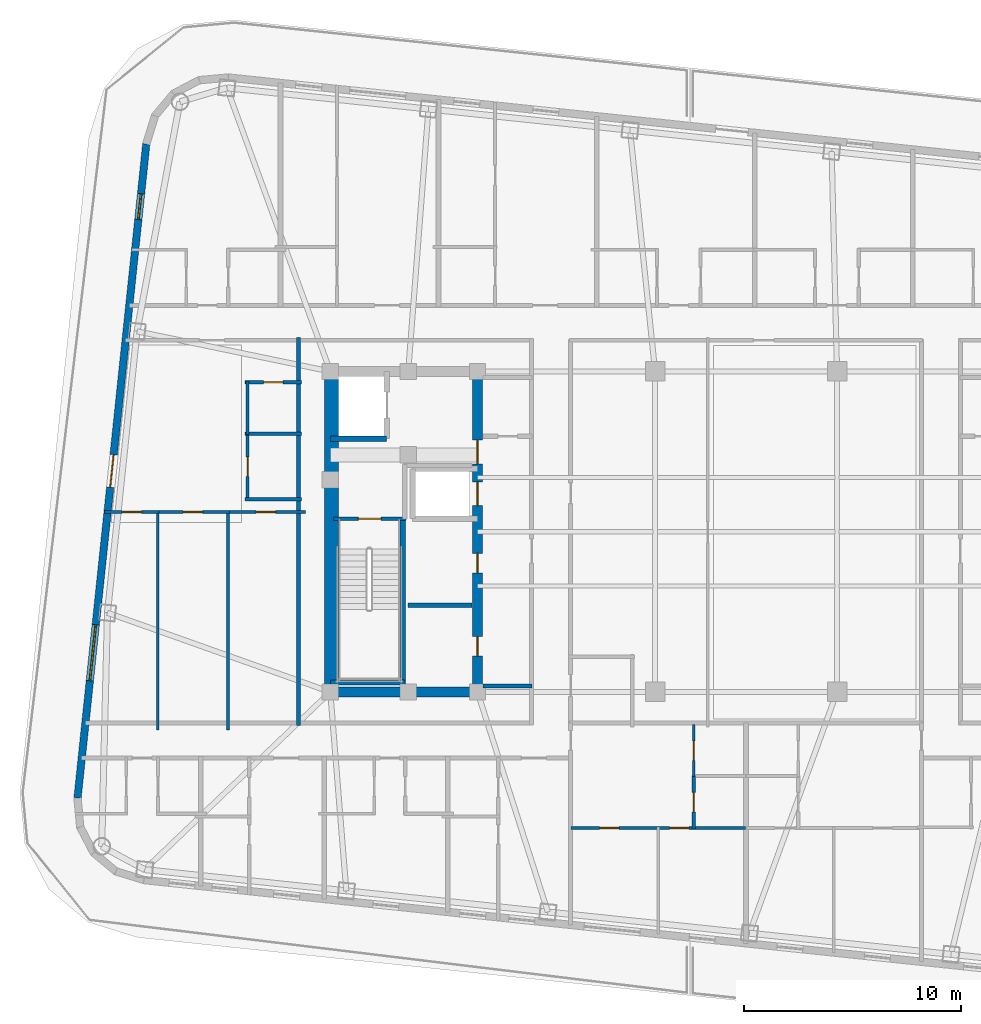
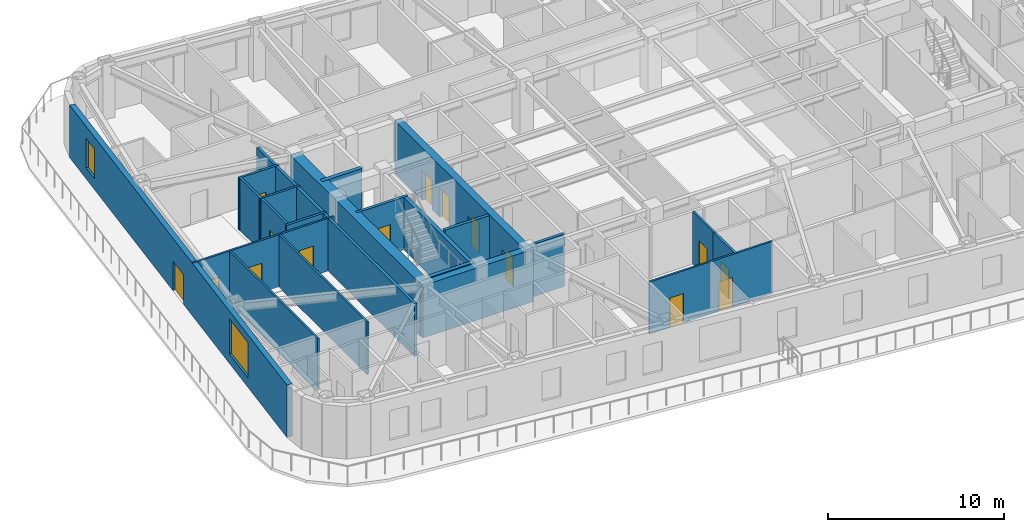
# One storey, part 4 of 14: 24 walls, 15 doors, 2 windows, 17 openings.
"""IFC4 building model written with IfcOpenShell, lengths in metres."""

from ifc_helpers import new_model, si_unit, direction, frame, frame_2d, origin, place, context, subcontext, project, spatial, rectangle, extrude, material, layer, layer_set, type_object, element, fill, save


model = new_model("IFC4")

# Units and contexts
model_context = context("Model", 3, precision=1e-05, world=origin(), true_north=direction((0.0, 1.0)))
body_context = subcontext(model_context, "Body", "Model", "MODEL_VIEW")
ifc_project = project(units=[si_unit("LENGTHUNIT", "METRE"), si_unit("AREAUNIT", "SQUARE_METRE"), si_unit("VOLUMEUNIT", "CUBIC_METRE"), si_unit("PLANEANGLEUNIT", "RADIAN"), si_unit("MASSUNIT", "GRAM", prefix="KILO")], contexts=[model_context])

# Site, building, storey
site_placement = place(None, origin())
site = spatial("IfcSite", under=ifc_project, at=site_placement, CompositionType="ELEMENT")
building_placement = place(site_placement, origin())
building = spatial("IfcBuilding", under=site, at=building_placement, Name="Voryun Gate Residences", CompositionType="ELEMENT")
storey_placement = place(building_placement, frame((0.0, 0.0, 291.199951171875)))
storey = spatial("IfcBuildingStorey", under=building, at=storey_placement, Name="L72", CompositionType="ELEMENT", Elevation=291.199951171875)

# Wall
ifc_material_1 = material(Name="Concrete C50/60", Category="concrete")
ifc_layer_1 = layer(ifc_material_1, 0.449951171875, Name="CW_CORE_450")
ifc_layer_set_1 = layer_set([ifc_layer_1], Name="Concrete C50/60")
wall_type_1 = type_object("IfcWallType", Name="CW_CORE_450", PredefinedType="SHEAR", material=ifc_layer_set_1)
wall_1_placement = place(storey_placement, frame((-19.425048828125, -7.39990234375, 0.0), z_axis=(0.0, 0.0, 1.0), x_axis=(1.0, 0.0, 0.0)))
element("IfcWall", 1, at=wall_1_placement, inside=storey, type_object=wall_type_1, Name="L72 Core shear wall CW-L72-WS", PredefinedType="SHEAR", context=body_context, shape_type="SweptSolid", body=[
    extrude(rectangle(XDim=7.25, YDim=0.449951171875, at=frame_2d((3.625, 0.0))), origin(), (0.0, 0.0, 1.0), 3.635009765625),
])

# Wall, openings, doors
wall_2_placement = place(storey_placement, frame((-12.39990234375, -7.39990234375, 0.0), z_axis=(0.0, 0.0, 1.0), x_axis=(0.0, 1.0, 0.0)))
wall_2 = element("IfcWall", 2, at=wall_2_placement, inside=storey, type_object=wall_type_1, Name="L72 Core shear wall CW-L72-WE", PredefinedType="SHEAR", context=body_context, shape_type="SweptSolid", body=[
    extrude(rectangle(XDim=14.7998046875, YDim=0.449951171875, at=frame_2d((7.39990234375, 0.0))), origin(), (0.0, 0.0, 1.0), 3.635009765625),
])
opening_1_placement = place(wall_2_placement, frame((8.60009765625, 0.0, 0.0)))
opening_1 = element("IfcOpeningElement", 3, at=opening_1_placement, cuts=wall_2, Name="Opening LD2", PredefinedType="OPENING", context=body_context, shape_type="SweptSolid", body=[
    extrude(rectangle(XDim=1.10009765625, YDim=2.050048828125, at=frame_2d((0.550048828125, 1.02490234375))), frame((0.0, 0.235107421875, 0.0), z_axis=(0.0, -1.0, 0.0), x_axis=(1.0, 0.0, 0.0)), (0.0, 0.0, 1.0), 0.469970703125),
])
opening_2_placement = place(wall_2_placement, frame((10.530029296875, 0.0, 0.0)))
opening_2 = element("IfcOpeningElement", 4, at=opening_2_placement, cuts=wall_2, Name="Opening D-FD60-2", PredefinedType="OPENING", context=body_context, shape_type="SweptSolid", body=[
    extrude(rectangle(XDim=1.10009765625, YDim=2.050048828125, at=frame_2d((0.550048828125, 1.02490234375))), frame((0.0, 0.235107421875, 0.0), z_axis=(0.0, -1.0, 0.0), x_axis=(1.0, 0.0, 0.0)), (0.0, 0.0, 1.0), 0.469970703125),
])
opening_3_placement = place(wall_2_placement, frame((1.64990234375, 0.0, 0.0)))
opening_3 = element("IfcOpeningElement", 5, at=opening_3_placement, cuts=wall_2, Name="Opening D-FD60-4", PredefinedType="OPENING", context=body_context, shape_type="SweptSolid", body=[
    extrude(rectangle(XDim=0.89990234375, YDim=2.050048828125, at=frame_2d((0.449951171875, 1.02490234375))), frame((0.0, 0.235107421875, 0.0), z_axis=(0.0, -1.0, 0.0), x_axis=(1.0, 0.0, 0.0)), (0.0, 0.0, 1.0), 0.469970703125),
])
opening_4_placement = place(wall_2_placement, frame((5.5, 0.0, 0.0)))
opening_4 = element("IfcOpeningElement", 6, at=opening_4_placement, cuts=wall_2, Name="Opening D-FD60-4", PredefinedType="OPENING", context=body_context, shape_type="SweptSolid", body=[
    extrude(rectangle(XDim=0.89990234375, YDim=2.050048828125, at=frame_2d((0.449951171875, 1.02490234375))), frame((0.0, 0.235107421875, 0.0), z_axis=(0.0, -1.0, 0.0), x_axis=(1.0, 0.0, 0.0)), (0.0, 0.0, 1.0), 0.469970703125),
])
ifc_material_2 = material(Name="Painted steel fire door", Category="steel")
door_type_1 = type_object("IfcDoorType", Name="DR_FD60_FFLOB_1100", OperationType="NOTDEFINED", PredefinedType="DOOR", material=ifc_material_2)
door_1_placement = place(opening_2_placement, origin())
door_1 = element("IfcDoor", 7, at=door_1_placement, inside=storey, type_object=door_type_1, Name="Door DR-L72-CLOB-W", OperationType="SINGLE_SWING_LEFT", OverallHeight=2.050048828125, OverallWidth=1.10009765625, PredefinedType="DOOR", context=body_context, shape_type="SweptSolid", body=[
    extrude(rectangle(XDim=1.10009765625, YDim=2.050048828125, at=frame_2d((0.550048828125, 1.02490234375))), frame((0.0, 0.02490234375, 0.0), z_axis=(0.0, -1.0, 0.0), x_axis=(1.0, 0.0, 0.0)), (0.0, 0.0, 1.0), 0.050048828125),
])
fill(opening_2, door_1)
ifc_material_3 = material(Name="Painted steel fire door", Category="steel")
door_type_2 = type_object("IfcDoorType", Name="DR_FD60_RISER_900", OperationType="NOTDEFINED", PredefinedType="DOOR", material=ifc_material_3)
door_2_placement = place(opening_3_placement, origin())
door_2 = element("IfcDoor", 8, at=door_2_placement, inside=storey, type_object=door_type_2, Name="Door DR-L72-RECW-HS", OperationType="SINGLE_SWING_LEFT", OverallHeight=2.050048828125, OverallWidth=0.89990234375, PredefinedType="DOOR", context=body_context, shape_type="SweptSolid", body=[
    extrude(rectangle(XDim=0.89990234375, YDim=2.050048828125, at=frame_2d((0.449951171875, 1.02490234375))), frame((0.0, 0.02490234375, 0.0), z_axis=(0.0, -1.0, 0.0), x_axis=(1.0, 0.0, 0.0)), (0.0, 0.0, 1.0), 0.050048828125),
])
fill(opening_3, door_2)
door_3_placement = place(opening_4_placement, origin())
door_3 = element("IfcDoor", 9, at=door_3_placement, inside=storey, type_object=door_type_2, Name="Door DR-L72-RECW-HN", OperationType="SINGLE_SWING_RIGHT", OverallHeight=2.050048828125, OverallWidth=0.89990234375, PredefinedType="DOOR", context=body_context, shape_type="SweptSolid", body=[
    extrude(rectangle(XDim=0.89990234375, YDim=2.050048828125, at=frame_2d((0.449951171875, 1.02490234375))), frame((0.0, 0.02490234375, 0.0), z_axis=(0.0, -1.0, 0.0), x_axis=(1.0, 0.0, 0.0)), (0.0, 0.0, 1.0), 0.050048828125),
])
fill(opening_4, door_3)
ifc_material_4 = material(Name="Anodised aluminium", Category="aluminium")
door_type_3 = type_object("IfcDoorType", Name="DR_LD_PASS_1100", OperationType="NOTDEFINED", PredefinedType="DOOR", material=ifc_material_4)
door_4_placement = place(opening_1_placement, origin())
door_4 = element("IfcDoor", 10, at=door_4_placement, inside=storey, type_object=door_type_3, Name="Lift EL-P7 sliding landing door L72", OperationType="SLIDING_TO_LEFT", OverallHeight=2.050048828125, OverallWidth=1.10009765625, PredefinedType="DOOR", context=body_context, shape_type="SweptSolid", body=[
    extrude(rectangle(XDim=1.10009765625, YDim=2.050048828125, at=frame_2d((0.550048828125, 1.02490234375))), frame((0.0, 0.02490234375, 0.0), z_axis=(0.0, -1.0, 0.0), x_axis=(1.0, 0.0, 0.0)), (0.0, 0.0, 1.0), 0.050048828125),
])
fill(opening_1, door_4)

# Wall
ifc_material_5 = material(Name="Concrete C60/75", Category="concrete")
ifc_layer_2 = layer(ifc_material_5, 0.64990234375, Name="CW_CORE_650")
ifc_layer_set_2 = layer_set([ifc_layer_2], Name="Concrete C60/75")
wall_type_2 = type_object("IfcWallType", Name="CW_CORE_650", PredefinedType="SHEAR", material=ifc_layer_set_2)
wall_3_placement = place(storey_placement, frame((-19.14501953125, -7.39990234375, 0.0), z_axis=(0.0, 0.0, 1.0), x_axis=(0.0, 1.0, 0.0)))
element("IfcWall", 11, at=wall_3_placement, inside=storey, type_object=wall_type_2, Name="L72 Core shear wall CW-L72-WW", PredefinedType="SHEAR", context=body_context, shape_type="SweptSolid", body=[
    extrude(rectangle(XDim=14.7998046875, YDim=0.64990234375, at=frame_2d((7.39990234375, 0.0))), origin(), (0.0, 0.0, 1.0), 3.635009765625),
])

# Wall, opening, door
ifc_material_6 = material(Name="Gypsum acoustic fireboard")
ifc_layer_3 = layer(ifc_material_6, 0.179931640625, Name="W_CORR_RATED_180")
ifc_layer_set_3 = layer_set([ifc_layer_3], Name="Gypsum acoustic fireboard")
wall_type_3 = type_object("IfcWallType", Name="W_CORR_RATED_180", PredefinedType="PARTITIONING", material=ifc_layer_set_3)
wall_4_placement = place(storey_placement, frame((-19.06005859375, 0.60009765625, 0.0), z_axis=(0.0, 0.0, 1.0), x_axis=(1.0, 0.0, 0.0)))
wall_4 = element("IfcWall", 12, at=wall_4_placement, inside=storey, type_object=wall_type_3, Name="Partition wall WP-L72-STV-W", PredefinedType="PARTITIONING", context=body_context, shape_type="SweptSolid", body=[
    extrude(rectangle(XDim=3.360107421875, YDim=0.179931640625, at=frame_2d((1.68017578125, 0.0))), origin(), (0.0, 0.0, 1.0), 3.635009765625),
])
opening_5_placement = place(wall_4_placement, frame((1.155029296875, 0.0, 0.0)))
opening_5 = element("IfcOpeningElement", 13, at=opening_5_placement, cuts=wall_4, Name="Opening D-FD60-1", PredefinedType="OPENING", context=body_context, shape_type="SweptSolid", body=[
    extrude(rectangle(XDim=1.050048828125, YDim=2.050048828125, at=frame_2d((0.52490234375, 1.02490234375))), frame((0.0, 0.099853515625, 0.0), z_axis=(0.0, -1.0, 0.0), x_axis=(1.0, 0.0, 0.0)), (0.0, 0.0, 1.0), 0.199951171875),
])
ifc_material_7 = material(Name="Painted steel fire door", Category="steel")
door_type_4 = type_object("IfcDoorType", Name="DR_FD60_STAIR_1050", OperationType="NOTDEFINED", PredefinedType="DOOR", material=ifc_material_7)
door_5_placement = place(opening_5_placement, origin())
door_5 = element("IfcDoor", 14, at=door_5_placement, inside=storey, type_object=door_type_4, Name="Door DR-L72-ST-W", OperationType="SINGLE_SWING_LEFT", OverallHeight=2.050048828125, OverallWidth=1.050048828125, PredefinedType="DOOR", context=body_context, shape_type="SweptSolid", body=[
    extrude(rectangle(XDim=1.050048828125, YDim=2.050048828125, at=frame_2d((0.52490234375, 1.02490234375))), frame((0.0, 0.02490234375, 0.0), z_axis=(0.0, -1.0, 0.0), x_axis=(1.0, 0.0, 0.0)), (0.0, 0.0, 1.0), 0.050048828125),
])
fill(opening_5, door_5)

# Walls
wall_5_placement = place(storey_placement, frame((-12.14990234375, -7.1201171875, 0.0), z_axis=(0.0, 0.0, 1.0), x_axis=(1.0, 0.0, 0.0)))
element("IfcWall", 15, at=wall_5_placement, inside=storey, type_object=wall_type_3, Name="Partition wall WP-L72-PLBS-W", PredefinedType="PARTITIONING", context=body_context, shape_type="SweptSolid", body=[
    extrude(rectangle(XDim=2.27001953125, YDim=0.179931640625, at=frame_2d((1.135009765625, 0.0))), origin(), (0.0, 0.0, 1.0), 3.635009765625),
])
wall_6_placement = place(storey_placement, frame((-20.669921875, -8.9599609375, 0.0), z_axis=(0.0, 0.0, 1.0), x_axis=(0.0, 1.0, 0.0)))
element("IfcWall", 16, at=wall_6_placement, inside=storey, type_object=wall_type_3, Name="Partition wall WP-L72-WCOR", PredefinedType="PARTITIONING", context=body_context, shape_type="SweptSolid", body=[
    extrude(rectangle(XDim=17.919921875, YDim=0.179931640625, at=frame_2d((8.9599609375, 0.0))), origin(), (0.0, 0.0, 1.0), 3.635009765625),
])

# Wall, openings, door, windows
ifc_material_8 = material(Name="Charcoal terracotta masonry", Category="masonry")
ifc_layer_4 = layer(ifc_material_8, 0.340087890625, Name="W_EXT_TERRACOTTA_340")
ifc_layer_set_4 = layer_set([ifc_layer_4], Name="Charcoal terracotta masonry")
wall_type_4 = type_object("IfcWallType", Name="W_EXT_TERRACOTTA_340", PredefinedType="ELEMENTEDWALL", material=ifc_layer_set_4)
wall_7_placement = place(storey_placement, frame((-30.8701171875, -12.295654296875, 0.0), z_axis=(0.0, 0.0, 1.0), x_axis=(0.104533282919, 0.994521388791, 0.0)))
wall_7 = element("IfcWall", 17, at=wall_7_placement, inside=storey, type_object=wall_type_4, Name="Exterior wall WEXT-L72-06", PredefinedType="ELEMENTEDWALL", context=body_context, shape_type="SweptSolid", body=[
    extrude(rectangle(XDim=30.366455078125, YDim=0.340087890625, at=frame_2d((15.18310546875, 0.0))), origin(), (0.0, 0.0, 1.0), 3.635009765625),
])
opening_6_placement = place(wall_7_placement, frame((14.43310546875, 0.0, 0.0)))
opening_6 = element("IfcOpeningElement", 18, at=opening_6_placement, cuts=wall_7, Name="Opening D-TER-1", PredefinedType="OPENING", context=body_context, shape_type="SweptSolid", body=[
    extrude(rectangle(XDim=1.5, YDim=2.050048828125, at=frame_2d((0.75, 1.02490234375))), frame((0.0, 0.179931640625, 0.0), z_axis=(0.0, -1.0, 0.0), x_axis=(1.0, 0.0, 0.0)), (0.0, 0.0, 1.0), 0.360107421875),
])
opening_7_placement = place(wall_7_placement, frame((5.441650390625, 0.0, 0.64990234375)))
opening_7 = element("IfcOpeningElement", 19, at=opening_7_placement, cuts=wall_7, Name="Opening WN4", PredefinedType="OPENING", context=body_context, shape_type="SweptSolid", body=[
    extrude(rectangle(XDim=2.60009765625, YDim=2.449951171875, at=frame_2d((1.300048828125, 1.22509765625))), frame((0.0, 0.179931640625, 0.0), z_axis=(0.0, -1.0, 0.0), x_axis=(1.0, 0.0, 0.0)), (0.0, 0.0, 1.0), 0.360107421875),
])
opening_8_placement = place(wall_7_placement, frame((26.860595703125, 0.0, 0.75)))
opening_8 = element("IfcOpeningElement", 20, at=opening_8_placement, cuts=wall_7, Name="Opening WN6", PredefinedType="OPENING", context=body_context, shape_type="SweptSolid", body=[
    extrude(rectangle(XDim=1.199951171875, YDim=2.050048828125, at=frame_2d((0.60009765625, 1.02490234375))), frame((0.0, 0.179931640625, 0.0), z_axis=(0.0, -1.0, 0.0), x_axis=(1.0, 0.0, 0.0)), (0.0, 0.0, 1.0), 0.360107421875),
])
ifc_material_9 = material(Name="Thermally broken aluminium and low-E glass", Category="aluminium")
door_type_5 = type_object("IfcDoorType", Name="DR_TERR_EXIT_1500", OperationType="NOTDEFINED", PredefinedType="DOOR", material=ifc_material_9)
door_6_placement = place(opening_6_placement, origin())
door_6 = element("IfcDoor", 21, at=door_6_placement, inside=storey, type_object=door_type_5, Name="Door DR-L72-OUT-01", OperationType="SLIDING_TO_RIGHT", OverallHeight=2.050048828125, OverallWidth=1.5, PredefinedType="DOOR", context=body_context, shape_type="SweptSolid", body=[
    extrude(rectangle(XDim=1.5, YDim=2.050048828125, at=frame_2d((0.75, 1.02490234375))), frame((0.0, 0.02490234375, 0.0), z_axis=(0.0, -1.0, 0.0), x_axis=(1.0, 0.0, 0.0)), (0.0, 0.0, 1.0), 0.050048828125),
])
fill(opening_6, door_6)
ifc_material_10 = material(Name="Laminated low-E glass", Category="glass")
window_type_1 = type_object("IfcWindowType", Name="WN_PENT_TALL_2600", PartitioningType="SINGLE_PANEL", PredefinedType="WINDOW", material=ifc_material_10)
window_1_placement = place(opening_7_placement, origin())
window_1 = element("IfcWindow", 22, at=window_1_placement, inside=storey, type_object=window_type_1, Name="Window WN-WEXT-L72-06-01", OverallHeight=2.449951171875, OverallWidth=2.60009765625, PartitioningType="SINGLE_PANEL", PredefinedType="WINDOW", context=body_context, shape_type="SweptSolid", body=[
    extrude(rectangle(XDim=2.60009765625, YDim=2.449951171875, at=frame_2d((1.300048828125, 1.22509765625))), frame((0.0, 0.030029296875, 0.0), z_axis=(0.0, -1.0, 0.0), x_axis=(1.0, 0.0, 0.0)), (0.0, 0.0, 1.0), 0.06005859375),
])
fill(opening_7, window_1)
ifc_material_11 = material(Name="Laminated low-E glass", Category="glass")
window_type_2 = type_object("IfcWindowType", Name="WN_POD_SLOT_1200", PartitioningType="SINGLE_PANEL", PredefinedType="WINDOW", material=ifc_material_11)
window_2_placement = place(opening_8_placement, origin())
window_2 = element("IfcWindow", 23, at=window_2_placement, inside=storey, type_object=window_type_2, Name="Window WN-L72-DWFIX-01", OverallHeight=2.050048828125, OverallWidth=1.199951171875, PartitioningType="SINGLE_PANEL", PredefinedType="WINDOW", context=body_context, shape_type="SweptSolid", body=[
    extrude(rectangle(XDim=1.199951171875, YDim=2.050048828125, at=frame_2d((0.60009765625, 1.02490234375))), frame((0.0, 0.030029296875, 0.0), z_axis=(0.0, -1.0, 0.0), x_axis=(1.0, 0.0, 0.0)), (0.0, 0.0, 1.0), 0.06005859375),
])
fill(opening_8, window_2)

# Walls
ifc_material_12 = material(Name="Concrete C40/50", Category="concrete")
ifc_layer_5 = layer(ifc_material_12, 0.199951171875, Name="W_FF_LOBBY_200")
ifc_layer_set_5 = layer_set([ifc_layer_5], Name="Concrete C40/50")
wall_type_5 = type_object("IfcWallType", Name="W_FF_LOBBY_200", PredefinedType="PARTITIONING", material=ifc_layer_set_5)
wall_8_placement = place(storey_placement, frame((-15.60009765625, -3.389892578125, 0.0), z_axis=(0.0, 0.0, 1.0), x_axis=(1.0, 0.0, 0.0)))
element("IfcWall", 24, at=wall_8_placement, inside=storey, type_object=wall_type_5, Name="Partition wall WP-L72-RECEY-W", PredefinedType="PARTITIONING", context=body_context, shape_type="SweptSolid", body=[
    extrude(rectangle(XDim=2.940185546875, YDim=0.199951171875, at=frame_2d((1.47021484375, 0.0))), origin(), (0.0, 0.0, 1.0), 3.635009765625),
])
ifc_material_13 = material(Name="Concrete C50/60", Category="concrete")
ifc_layer_6 = layer(ifc_material_13, 0.25, Name="W_SHAFT_RC250")
ifc_layer_set_6 = layer_set([ifc_layer_6], Name="Concrete C50/60")
wall_type_6 = type_object("IfcWallType", Name="W_SHAFT_RC250", PredefinedType="SOLIDWALL", material=ifc_layer_set_6)
wall_9_placement = place(storey_placement, frame((-15.860107421875, -7.0849609375, 0.0), z_axis=(0.0, 0.0, 1.0), x_axis=(0.0, 1.0, 0.0)))
element("IfcWall", 25, at=wall_9_placement, inside=storey, type_object=wall_type_6, Name="L72 Stair shaft structural wall W-STR", PredefinedType="SOLIDWALL", context=body_context, shape_type="SweptSolid", body=[
    extrude(rectangle(XDim=7.68505859375, YDim=0.25, at=frame_2d((3.842529296875, 0.0))), origin(), (0.0, 0.0, 1.0), 3.635009765625),
])
wall_10_placement = place(storey_placement, frame((-19.199951171875, -6.965087890625, 0.0), z_axis=(0.0, 0.0, 1.0), x_axis=(1.0, 0.0, 0.0)))
element("IfcWall", 26, at=wall_10_placement, inside=storey, type_object=wall_type_6, Name="L72 Stair shaft structural wall W-STS", PredefinedType="SOLIDWALL", context=body_context, shape_type="SweptSolid", body=[
    extrude(rectangle(XDim=3.4599609375, YDim=0.25, at=frame_2d((1.72998046875, 0.0))), origin(), (0.0, 0.0, 1.0), 3.635009765625),
])
wall_11_placement = place(storey_placement, frame((-19.199951171875, 4.300048828125, 0.0), z_axis=(0.0, 0.0, 1.0), x_axis=(1.0, 0.0, 0.0)))
element("IfcWall", 27, at=wall_11_placement, inside=storey, type_object=wall_type_6, Name="Lift shaft wall WSH-L72-EL-FF-W1-S", PredefinedType="SOLIDWALL", context=body_context, shape_type="SweptSolid", body=[
    extrude(rectangle(XDim=2.599853515625, YDim=0.25, at=frame_2d((1.2998046875, 0.0))), origin(), (0.0, 0.0, 1.0), 3.635009765625),
])

# Wall, openings, doors
ifc_material_14 = material(Name="Gypsum acoustic partition")
ifc_layer_7 = layer(ifc_material_14, 0.125, Name="W_UNIT_PART_125")
ifc_layer_set_7 = layer_set([ifc_layer_7], Name="Gypsum acoustic partition")
wall_type_7 = type_object("IfcWallType", Name="W_UNIT_PART_125", PredefinedType="PARTITIONING", material=ifc_layer_set_7)
wall_12_placement = place(storey_placement, frame((-8.080078125, -13.679931640625, 0.0), z_axis=(0.0, 0.0, 1.0), x_axis=(1.0, 0.0, 0.0)))
wall_12 = element("IfcWall", 28, at=wall_12_placement, inside=storey, type_object=wall_type_7, Name="Partition wall WP-L72-SC1-HZ", PredefinedType="PARTITIONING", context=body_context, shape_type="SweptSolid", body=[
    extrude(rectangle(XDim=8.06005859375, YDim=0.125, at=frame_2d((4.030029296875, 0.0))), origin(), (0.0, 0.0, 1.0), 3.635009765625),
])
opening_9_placement = place(wall_12_placement, frame((1.3232421875, 0.0, 0.0)))
opening_9 = element("IfcOpeningElement", 29, at=opening_9_placement, cuts=wall_12, Name="Opening D-INT-2", PredefinedType="OPENING", context=body_context, shape_type="SweptSolid", body=[
    extrude(rectangle(XDim=0.89990234375, YDim=2.050048828125, at=frame_2d((0.449951171875, 1.02490234375))), frame((0.0, 0.072509765625, 0.0), z_axis=(0.0, -1.0, 0.0), x_axis=(1.0, 0.0, 0.0)), (0.0, 0.0, 1.0), 0.14501953125),
])
opening_10_placement = place(wall_12_placement, frame((4.547119140625, 0.0, 0.0)))
opening_10 = element("IfcOpeningElement", 30, at=opening_10_placement, cuts=wall_12, Name="Opening D-INT-2", PredefinedType="OPENING", context=body_context, shape_type="SweptSolid", body=[
    extrude(rectangle(XDim=0.89990234375, YDim=2.050048828125, at=frame_2d((0.449951171875, 1.02490234375))), frame((0.0, 0.072509765625, 0.0), z_axis=(0.0, -1.0, 0.0), x_axis=(1.0, 0.0, 0.0)), (0.0, 0.0, 1.0), 0.14501953125),
])
ifc_material_15 = material(Name="Architectural oak veneer")
door_type_6 = type_object("IfcDoorType", Name="DR_INT_BATH_900", OperationType="NOTDEFINED", PredefinedType="DOOR", material=ifc_material_15)
door_7_placement = place(opening_9_placement, origin())
door_7 = element("IfcDoor", 31, at=door_7_placement, inside=storey, type_object=door_type_6, Name="Door DR-L72-SC1-DMB", OperationType="SINGLE_SWING_LEFT", OverallHeight=2.050048828125, OverallWidth=0.89990234375, PredefinedType="DOOR", context=body_context, shape_type="SweptSolid", body=[
    extrude(rectangle(XDim=0.89990234375, YDim=2.050048828125, at=frame_2d((0.449951171875, 1.02490234375))), frame((0.0, 0.02490234375, 0.0), z_axis=(0.0, -1.0, 0.0), x_axis=(1.0, 0.0, 0.0)), (0.0, 0.0, 1.0), 0.050048828125),
])
fill(opening_9, door_7)
door_8_placement = place(opening_10_placement, origin())
door_8 = element("IfcDoor", 32, at=door_8_placement, inside=storey, type_object=door_type_6, Name="Door DR-L72-SC1-DBD2", OperationType="SINGLE_SWING_RIGHT", OverallHeight=2.050048828125, OverallWidth=0.89990234375, PredefinedType="DOOR", context=body_context, shape_type="SweptSolid", body=[
    extrude(rectangle(XDim=0.89990234375, YDim=2.050048828125, at=frame_2d((0.449951171875, 1.02490234375))), frame((0.0, 0.02490234375, 0.0), z_axis=(0.0, -1.0, 0.0), x_axis=(1.0, 0.0, 0.0)), (0.0, 0.0, 1.0), 0.050048828125),
])
fill(opening_10, door_8)

# Wall, opening, door
wall_13_placement = place(storey_placement, frame((-2.409912109375, -11.31005859375, 0.0), z_axis=(0.0, 0.0, 1.0), x_axis=(0.0, 1.0, 0.0)))
wall_13 = element("IfcWall", 33, at=wall_13_placement, inside=storey, type_object=wall_type_7, Name="Partition wall WP-L72-SC1-VK1", PredefinedType="PARTITIONING", context=body_context, shape_type="SweptSolid", body=[
    extrude(rectangle(XDim=2.41015625, YDim=0.125, at=frame_2d((1.205078125, 0.0))), origin(), (0.0, 0.0, 1.0), 3.635009765625),
])
opening_11_placement = place(wall_13_placement, frame((0.7548828125, 0.0, 0.0)))
opening_11 = element("IfcOpeningElement", 34, at=opening_11_placement, cuts=wall_13, Name="Opening D-INT-2", PredefinedType="OPENING", context=body_context, shape_type="SweptSolid", body=[
    extrude(rectangle(XDim=0.89990234375, YDim=2.050048828125, at=frame_2d((0.449951171875, 1.02490234375))), frame((0.0, 0.072509765625, 0.0), z_axis=(0.0, -1.0, 0.0), x_axis=(1.0, 0.0, 0.0)), (0.0, 0.0, 1.0), 0.14501953125),
])
door_9_placement = place(opening_11_placement, origin())
door_9 = element("IfcDoor", 35, at=door_9_placement, inside=storey, type_object=door_type_6, Name="Door DR-L72-SC1-DK", OperationType="SINGLE_SWING_LEFT", OverallHeight=2.050048828125, OverallWidth=0.89990234375, PredefinedType="DOOR", context=body_context, shape_type="SweptSolid", body=[
    extrude(rectangle(XDim=0.89990234375, YDim=2.050048828125, at=frame_2d((0.449951171875, 1.02490234375))), frame((0.0, 0.02490234375, 0.0), z_axis=(0.0, -1.0, 0.0), x_axis=(1.0, 0.0, 0.0)), (0.0, 0.0, 1.0), 0.050048828125),
])
fill(opening_11, door_9)

wall_14_placement = place(storey_placement, frame((-29.633056640625, 0.909912109375, 0.0), z_axis=(0.0, 0.0, 1.0), x_axis=(1.0, 0.0, 0.0)))
wall_14 = element("IfcWall", 36, at=wall_14_placement, inside=storey, type_object=wall_type_7, Name="Partition wall WP-L72-W1-HZMB1", PredefinedType="PARTITIONING", context=body_context, shape_type="SweptSolid", body=[
    extrude(rectangle(XDim=2.528564453125, YDim=0.125, at=frame_2d((1.26416015625, 0.0))), origin(), (0.0, 0.0, 1.0), 3.635009765625),
])
opening_12_placement = place(wall_14_placement, frame((0.822998046875, 0.0, 0.0)))
opening_12 = element("IfcOpeningElement", 37, at=opening_12_placement, cuts=wall_14, Name="Opening D-INT-2", PredefinedType="OPENING", context=body_context, shape_type="SweptSolid", body=[
    extrude(rectangle(XDim=0.89990234375, YDim=2.050048828125, at=frame_2d((0.449951171875, 1.02490234375))), frame((0.0, 0.072509765625, 0.0), z_axis=(0.0, -1.0, 0.0), x_axis=(1.0, 0.0, 0.0)), (0.0, 0.0, 1.0), 0.14501953125),
])
door_10_placement = place(opening_12_placement, origin())
door_10 = element("IfcDoor", 38, at=door_10_placement, inside=storey, type_object=door_type_6, Name="Door DR-L72-W1-DMB", OperationType="SINGLE_SWING_LEFT", OverallHeight=2.050048828125, OverallWidth=0.89990234375, PredefinedType="DOOR", context=body_context, shape_type="SweptSolid", body=[
    extrude(rectangle(XDim=0.89990234375, YDim=2.050048828125, at=frame_2d((0.449951171875, 1.02490234375))), frame((0.0, 0.02490234375, 0.0), z_axis=(0.0, -1.0, 0.0), x_axis=(1.0, 0.0, 0.0)), (0.0, 0.0, 1.0), 0.050048828125),
])
fill(opening_12, door_10)

wall_15_placement = place(storey_placement, frame((-27.2294921875, 0.909912109375, 0.0), z_axis=(0.0, 0.0, 1.0), x_axis=(1.0, 0.0, 0.0)))
wall_15 = element("IfcWall", 39, at=wall_15_placement, inside=storey, type_object=wall_type_7, Name="Partition wall WP-L72-W1-HZMB2", PredefinedType="PARTITIONING", context=body_context, shape_type="SweptSolid", body=[
    extrude(rectangle(XDim=3.3740234375, YDim=0.125, at=frame_2d((1.68701171875, 0.0))), origin(), (0.0, 0.0, 1.0), 3.635009765625),
])
opening_13_placement = place(wall_15_placement, frame((1.237060546875, 0.0, 0.0)))
opening_13 = element("IfcOpeningElement", 40, at=opening_13_placement, cuts=wall_15, Name="Opening D-INT-2", PredefinedType="OPENING", context=body_context, shape_type="SweptSolid", body=[
    extrude(rectangle(XDim=0.89990234375, YDim=2.050048828125, at=frame_2d((0.449951171875, 1.02490234375))), frame((0.0, 0.072509765625, 0.0), z_axis=(0.0, -1.0, 0.0), x_axis=(1.0, 0.0, 0.0)), (0.0, 0.0, 1.0), 0.14501953125),
])
door_11_placement = place(opening_13_placement, origin())
door_11 = element("IfcDoor", 41, at=door_11_placement, inside=storey, type_object=door_type_6, Name="Door DR-L72-W1-DBD2", OperationType="SINGLE_SWING_RIGHT", OverallHeight=2.050048828125, OverallWidth=0.89990234375, PredefinedType="DOOR", context=body_context, shape_type="SweptSolid", body=[
    extrude(rectangle(XDim=0.89990234375, YDim=2.050048828125, at=frame_2d((0.449951171875, 1.02490234375))), frame((0.0, 0.02490234375, 0.0), z_axis=(0.0, -1.0, 0.0), x_axis=(1.0, 0.0, 0.0)), (0.0, 0.0, 1.0), 0.050048828125),
])
fill(opening_13, door_11)

wall_16_placement = place(storey_placement, frame((-23.98046875, 0.909912109375, 0.0), z_axis=(0.0, 0.0, 1.0), x_axis=(1.0, 0.0, 0.0)))
wall_16 = element("IfcWall", 42, at=wall_16_placement, inside=storey, type_object=wall_type_7, Name="Partition wall WP-L72-W1-HZMB3", PredefinedType="PARTITIONING", context=body_context, shape_type="SweptSolid", body=[
    extrude(rectangle(XDim=3.63037109375, YDim=0.125, at=frame_2d((1.815185546875, 0.0))), origin(), (0.0, 0.0, 1.0), 3.635009765625),
])
opening_14_placement = place(wall_16_placement, frame((1.3564453125, 0.0, 0.0)))
opening_14 = element("IfcOpeningElement", 43, at=opening_14_placement, cuts=wall_16, Name="Opening D-INT-2", PredefinedType="OPENING", context=body_context, shape_type="SweptSolid", body=[
    extrude(rectangle(XDim=0.89990234375, YDim=2.050048828125, at=frame_2d((0.449951171875, 1.02490234375))), frame((0.0, 0.072509765625, 0.0), z_axis=(0.0, -1.0, 0.0), x_axis=(1.0, 0.0, 0.0)), (0.0, 0.0, 1.0), 0.14501953125),
])
door_12_placement = place(opening_14_placement, origin())
door_12 = element("IfcDoor", 44, at=door_12_placement, inside=storey, type_object=door_type_6, Name="Door DR-L72-W1-DBD3", OperationType="SINGLE_SWING_LEFT", OverallHeight=2.050048828125, OverallWidth=0.89990234375, PredefinedType="DOOR", context=body_context, shape_type="SweptSolid", body=[
    extrude(rectangle(XDim=0.89990234375, YDim=2.050048828125, at=frame_2d((0.449951171875, 1.02490234375))), frame((0.0, 0.02490234375, 0.0), z_axis=(0.0, -1.0, 0.0), x_axis=(1.0, 0.0, 0.0)), (0.0, 0.0, 1.0), 0.050048828125),
])
fill(opening_14, door_12)

# Walls
for number, where, z_axis, x_axis, name in (
    (45, (-23.91796875, -9.159912109375, 0.0), (0.0, 0.0, 1.0), (0.0, 1.0, 0.0), "Partition wall WP-L72-W1-VMB2"),
    (46, (-27.1669921875, -9.159912109375, 0.0), (0.0, 0.0, 1.0), (0.0, 1.0, 0.0), "Partition wall WP-L72-W1-VMB"),
):
    element("IfcWall", number, at=place(storey_placement, frame(where, z_axis=z_axis, x_axis=x_axis)), inside=storey, type_object=wall_type_7, Name=name, PredefinedType="PARTITIONING", context=body_context, shape_type="SweptSolid", body=[
        extrude(rectangle(XDim=10.1298828125, YDim=0.125, at=frame_2d((5.06494140625, 0.0))), origin(), (0.0, 0.0, 1.0), 3.635009765625),
    ])

# Wall, opening, door
ifc_material_16 = material(Name="Gypsum moisture-resistant partition")
ifc_layer_8 = layer(ifc_material_16, 0.14990234375, Name="W_WET_PLUMB_150")
ifc_layer_set_8 = layer_set([ifc_layer_8], Name="Gypsum moisture-resistant partition")
wall_type_8 = type_object("IfcWallType", Name="W_WET_PLUMB_150", PredefinedType="PLUMBINGWALL", material=ifc_layer_set_8)
wall_17_placement = place(storey_placement, frame((-2.409912109375, -13.719970703125, 0.0), z_axis=(0.0, 0.0, 1.0), x_axis=(0.0, 1.0, 0.0)))
wall_17 = element("IfcWall", 47, at=wall_17_placement, inside=storey, type_object=wall_type_8, Name="Partition wall WP-L72-SC1-VK2", PredefinedType="PLUMBINGWALL", context=body_context, shape_type="SweptSolid", body=[
    extrude(rectangle(XDim=2.469970703125, YDim=0.14990234375, at=frame_2d((1.23486328125, 0.0))), origin(), (0.0, 0.0, 1.0), 3.635009765625),
])
opening_15_placement = place(wall_17_placement, frame((0.784912109375, 0.0, 0.0)))
opening_15 = element("IfcOpeningElement", 48, at=opening_15_placement, cuts=wall_17, Name="Opening D-INT-2", PredefinedType="OPENING", context=body_context, shape_type="SweptSolid", body=[
    extrude(rectangle(XDim=0.89990234375, YDim=2.050048828125, at=frame_2d((0.449951171875, 1.02490234375))), frame((0.0, 0.0849609375, 0.0), z_axis=(0.0, -1.0, 0.0), x_axis=(1.0, 0.0, 0.0)), (0.0, 0.0, 1.0), 0.169921875),
])
door_13_placement = place(opening_15_placement, origin())
door_13 = element("IfcDoor", 49, at=door_13_placement, inside=storey, type_object=door_type_6, Name="Door DR-L72-SC1-DB", OperationType="SINGLE_SWING_RIGHT", OverallHeight=2.050048828125, OverallWidth=0.89990234375, PredefinedType="DOOR", context=body_context, shape_type="SweptSolid", body=[
    extrude(rectangle(XDim=0.89990234375, YDim=2.050048828125, at=frame_2d((0.449951171875, 1.02490234375))), frame((0.0, 0.02490234375, 0.0), z_axis=(0.0, -1.0, 0.0), x_axis=(1.0, 0.0, 0.0)), (0.0, 0.0, 1.0), 0.050048828125),
])
fill(opening_15, door_13)

wall_18_placement = place(storey_placement, frame((-23.139892578125, 6.89990234375, 0.0), z_axis=(0.0, 0.0, 1.0), x_axis=(1.0, 0.0, 0.0)))
wall_18 = element("IfcWall", 50, at=wall_18_placement, inside=storey, type_object=wall_type_8, Name="Partition wall WP-L72-W1-IBT", PredefinedType="PLUMBINGWALL", context=body_context, shape_type="SweptSolid", body=[
    extrude(rectangle(XDim=2.619873046875, YDim=0.14990234375, at=frame_2d((1.31005859375, 0.0))), origin(), (0.0, 0.0, 1.0), 3.635009765625),
])
opening_16_placement = place(wall_18_placement, frame((0.860107421875, 0.0, 0.0)))
opening_16 = element("IfcOpeningElement", 51, at=opening_16_placement, cuts=wall_18, Name="Opening D-INT-2", PredefinedType="OPENING", context=body_context, shape_type="SweptSolid", body=[
    extrude(rectangle(XDim=0.89990234375, YDim=2.050048828125, at=frame_2d((0.449951171875, 1.02490234375))), frame((0.0, 0.0849609375, 0.0), z_axis=(0.0, -1.0, 0.0), x_axis=(1.0, 0.0, 0.0)), (0.0, 0.0, 1.0), 0.169921875),
])
door_14_placement = place(opening_16_placement, origin())
door_14 = element("IfcDoor", 52, at=door_14_placement, inside=storey, type_object=door_type_6, Name="Door DR-L72-W1-DK", OperationType="SINGLE_SWING_LEFT", OverallHeight=2.050048828125, OverallWidth=0.89990234375, PredefinedType="DOOR", context=body_context, shape_type="SweptSolid", body=[
    extrude(rectangle(XDim=0.89990234375, YDim=2.050048828125, at=frame_2d((0.449951171875, 1.02490234375))), frame((0.0, 0.02490234375, 0.0), z_axis=(0.0, -1.0, 0.0), x_axis=(1.0, 0.0, 0.0)), (0.0, 0.0, 1.0), 0.050048828125),
])
fill(opening_16, door_14)

# Walls
for number, where, z_axis, x_axis, name in (
    (53, (-23.139892578125, 4.52001953125, 0.0), (0.0, 0.0, 1.0), (1.0, 0.0, 0.0), "Partition wall WP-L72-W1-IKB"),
    (54, (-23.139892578125, 1.5, 0.0), (0.0, 0.0, 1.0), (1.0, 0.0, 0.0), "Partition wall WP-L72-W1-IBB"),
):
    element("IfcWall", number, at=place(storey_placement, frame(where, z_axis=z_axis, x_axis=x_axis)), inside=storey, type_object=wall_type_8, Name=name, PredefinedType="PLUMBINGWALL", context=body_context, shape_type="SweptSolid", body=[
        extrude(rectangle(XDim=2.619873046875, YDim=0.14990234375, at=frame_2d((1.31005859375, 0.0))), origin(), (0.0, 0.0, 1.0), 3.635009765625),
    ])

# Wall, opening, door
wall_19_placement = place(storey_placement, frame((-23.02001953125, 1.43994140625, 0.0), z_axis=(0.0, 0.0, 1.0), x_axis=(0.0, 1.0, 0.0)))
wall_19 = element("IfcWall", 55, at=wall_19_placement, inside=storey, type_object=wall_type_8, Name="Partition wall WP-L72-W1-VTSK1", PredefinedType="PLUMBINGWALL", context=body_context, shape_type="SweptSolid", body=[
    extrude(rectangle(XDim=3.1201171875, YDim=0.14990234375, at=frame_2d((1.56005859375, 0.0))), origin(), (0.0, 0.0, 1.0), 3.635009765625),
])
opening_17_placement = place(wall_19_placement, frame((1.110107421875, 0.0, 0.0)))
opening_17 = element("IfcOpeningElement", 56, at=opening_17_placement, cuts=wall_19, Name="Opening D-INT-2", PredefinedType="OPENING", context=body_context, shape_type="SweptSolid", body=[
    extrude(rectangle(XDim=0.89990234375, YDim=2.050048828125, at=frame_2d((0.449951171875, 1.02490234375))), frame((0.0, 0.0849609375, 0.0), z_axis=(0.0, -1.0, 0.0), x_axis=(1.0, 0.0, 0.0)), (0.0, 0.0, 1.0), 0.169921875),
])
door_15_placement = place(opening_17_placement, origin())
door_15 = element("IfcDoor", 57, at=door_15_placement, inside=storey, type_object=door_type_6, Name="Door DR-L72-W1-DB", OperationType="SINGLE_SWING_RIGHT", OverallHeight=2.050048828125, OverallWidth=0.89990234375, PredefinedType="DOOR", context=body_context, shape_type="SweptSolid", body=[
    extrude(rectangle(XDim=0.89990234375, YDim=2.050048828125, at=frame_2d((0.449951171875, 1.02490234375))), frame((0.0, 0.02490234375, 0.0), z_axis=(0.0, -1.0, 0.0), x_axis=(1.0, 0.0, 0.0)), (0.0, 0.0, 1.0), 0.050048828125),
])
fill(opening_17, door_15)

# Wall
wall_20_placement = place(storey_placement, frame((-23.02001953125, 4.47998046875, 0.0), z_axis=(0.0, 0.0, 1.0), x_axis=(0.0, 1.0, 0.0)))
element("IfcWall", 58, at=wall_20_placement, inside=storey, type_object=wall_type_8, Name="Partition wall WP-L72-W1-VTSK2", PredefinedType="PLUMBINGWALL", context=body_context, shape_type="SweptSolid", body=[
    extrude(rectangle(XDim=2.47998046875, YDim=0.14990234375, at=frame_2d((1.239990234375, 0.0))), origin(), (0.0, 0.0, 1.0), 3.635009765625),
])

save(model, "model.ifc")
